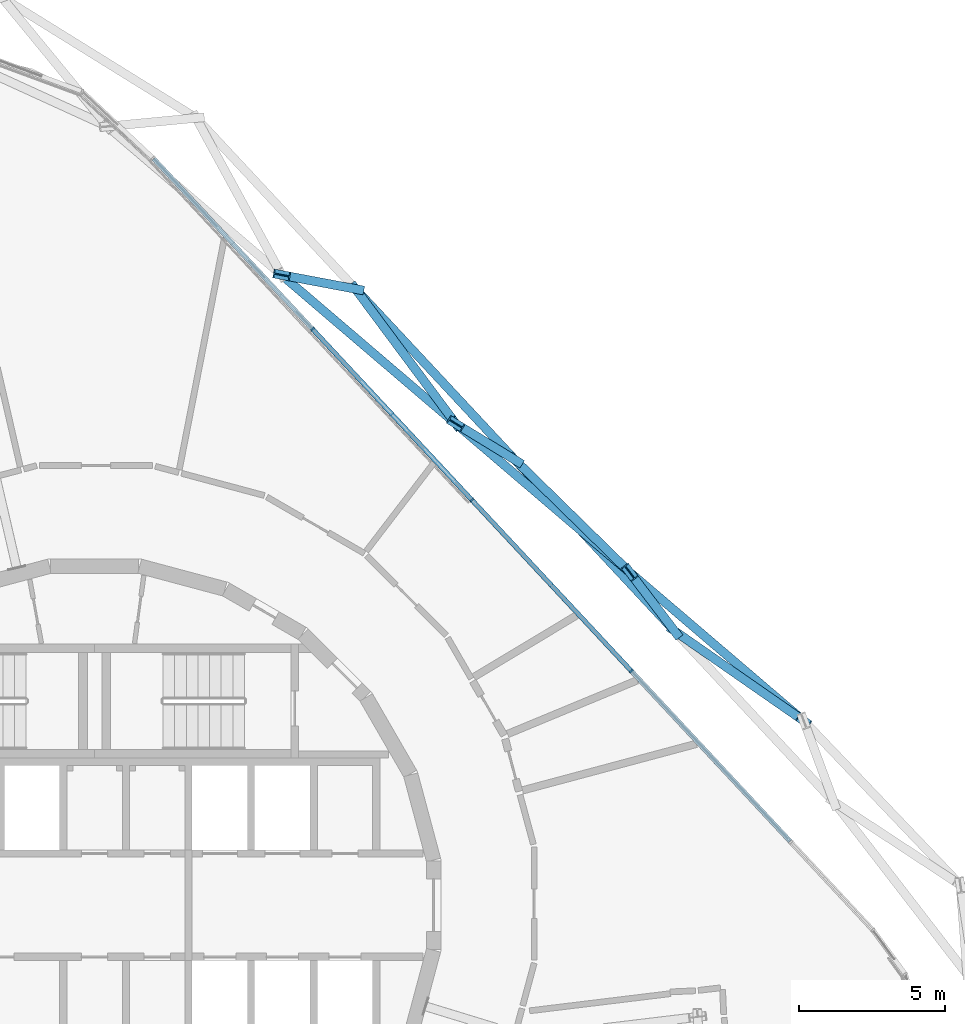
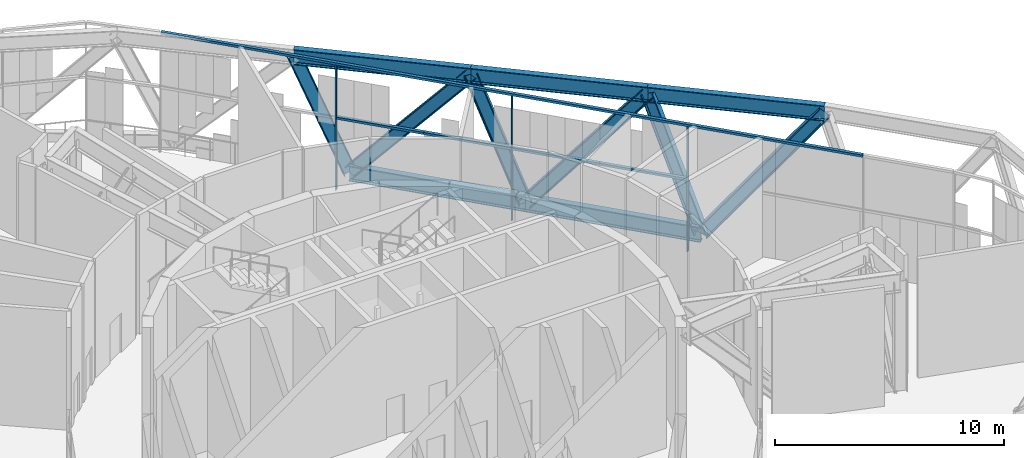
# One storey, part 9 of 25: 19 members, 1 element without a shape of its own.
"""IFC4 building model written with IfcOpenShell, lengths in metres."""

import ifcopenshell
import ifcopenshell.guid

model = None  # the IFC model being written
_history = None  # IfcOwnerHistory: only IFC2X3 demands one
_inside = {}  # id of a spatial element -> (the spatial element, [elements in it])
_under = {}  # id of a project, library or spatial element -> (it, [spatial elements below it])
_declared = {}  # id of a project -> (the project, [libraries it declares])
_typed = {}  # id of a type object -> (the type object, [elements of that type])
_made_of = {}  # id of a material, layer set ... -> (it, [elements and type objects made of it])


def new_model(schema):
    """Start an empty IFC model of exactly this schema.

    Asked for "IFC4X3", IfcOpenShell would pick the latest addendum, in which some entities
    have other attributes; the version numbers below select the first issue.
    IFC2X3 requires an IfcOwnerHistory on every rooted entity: one is made here for all.
    """
    global model, _history
    if schema == "IFC4X3":
        model = ifcopenshell.file(schema_version=(4, 3, 0, 0))
    else:
        model = ifcopenshell.file(schema=schema)
    _inside.clear()
    _under.clear()
    _declared.clear()
    _typed.clear()
    _made_of.clear()
    _history = None
    if model.schema == "IFC2X3":
        org = make("IfcOrganization", Name="unknown")
        user = make(
            "IfcPersonAndOrganization",
            ThePerson=make("IfcPerson", FamilyName="unknown"),
            TheOrganization=org,
        )
        app = make(
            "IfcApplication",
            ApplicationDeveloper=org,
            Version="unknown",
            ApplicationFullName="unknown",
            ApplicationIdentifier="unknown",
        )
        _history = make(
            "IfcOwnerHistory",
            OwningUser=user,
            OwningApplication=app,
            ChangeAction="ADDED",
            CreationDate=0,
        )
    return model


def make(cls, **values):
    """One entity of the class cls with the attributes given. An attribute that is None is left unset."""
    return model.create_entity(
        cls, **{name: value for name, value in values.items() if value is not None}
    )


def rooted(cls, **values):
    """An entity with a GlobalId (a new one), such as an element, a storey or a relation."""
    return make(cls, GlobalId=ifcopenshell.guid.new(), OwnerHistory=_history, **values)


def si_unit(unit_type, name, prefix=None):
    """IfcSIUnit, for example si_unit("LENGTHUNIT", "METRE", prefix="MILLI")."""
    return make("IfcSIUnit", UnitType=unit_type, Prefix=prefix, Name=name)


def assignment(units):
    """IfcUnitAssignment: the units of a project."""
    return None if units is None else make("IfcUnitAssignment", Units=units)


def point(xyz):
    """IfcCartesianPoint."""
    return None if xyz is None else make("IfcCartesianPoint", Coordinates=xyz)


def direction(xyz):
    """IfcDirection."""
    return None if xyz is None else make("IfcDirection", DirectionRatios=xyz)


def frame(location, z_axis=None, x_axis=None):
    """IfcAxis2Placement3D, a coordinate frame: its origin and axes. An axis left out is left unset."""
    return make(
        "IfcAxis2Placement3D",
        Location=point(location),
        Axis=direction(z_axis),
        RefDirection=direction(x_axis),
    )


def frame_2d(location, x_axis=None):
    """IfcAxis2Placement2D, a coordinate frame in the plane: its origin and x axis."""
    return make(
        "IfcAxis2Placement2D", Location=point(location), RefDirection=direction(x_axis)
    )


def origin():
    """The frame at (0, 0, 0) with its axes left unset."""
    return frame((0.0, 0.0, 0.0))


def origin_2d():
    """The frame at (0, 0) in the plane with its x axis left unset."""
    return frame_2d((0.0, 0.0))


def place(relative_to, where):
    """IfcLocalPlacement: puts the frame where relative to a parent placement (None: the world)."""
    return make(
        "IfcLocalPlacement", PlacementRelTo=relative_to, RelativePlacement=where
    )


def context(
    kind, dimensions, precision=None, world=None, true_north=None, identifier=None
):
    """IfcGeometricRepresentationContext, for example the 3D "Model" context."""
    return make(
        "IfcGeometricRepresentationContext",
        ContextIdentifier=identifier,
        ContextType=kind,
        CoordinateSpaceDimension=dimensions,
        Precision=precision,
        WorldCoordinateSystem=world,
        TrueNorth=true_north,
    )


def subcontext(parent, identifier, kind, view, scale=None):
    """IfcGeometricRepresentationSubContext, for example "Body" below "Model"."""
    return make(
        "IfcGeometricRepresentationSubContext",
        ContextIdentifier=identifier,
        ContextType=kind,
        ParentContext=parent,
        TargetScale=scale,
        TargetView=view,
    )


def project(units=None, contexts=None):
    """IfcProject with its units and contexts."""
    return rooted(
        "IfcProject",
        Name="project",
        RepresentationContexts=contexts,
        UnitsInContext=assignment(units),
    )


def spatial(cls, under=None, at=None, **own):
    """A site, building, storey or space (cls), placed at a placement, below another one or the project."""
    s = rooted(cls, ObjectPlacement=at, **own)
    if under is not None:
        _under.setdefault(under.id(), (under, []))[1].append(s)
    return s


def profile(cls, at=None, kind="AREA", **sizes):
    """A parametric profile (cls). Its sizes go by their IFC names, for example OverallWidth=200.0."""
    return make(cls, ProfileType=kind, Position=at, **sizes)


def rectangle(**sizes):
    """IfcRectangleProfileDef."""
    return profile("IfcRectangleProfileDef", **sizes)


def i_section(**sizes):
    """IfcIShapeProfileDef."""
    return profile("IfcIShapeProfileDef", **sizes)


def extrude(swept, where, along, depth):
    """IfcExtrudedAreaSolid: the profile swept, set in the frame where, extruded along a direction by depth."""
    return make(
        "IfcExtrudedAreaSolid",
        SweptArea=swept,
        Position=where,
        ExtrudedDirection=direction(along),
        Depth=depth,
    )


def shape(context_of_items, identifier, shape_type, items):
    """IfcShapeRepresentation: the items that make up one representation, for example the "Body"."""
    return make(
        "IfcShapeRepresentation",
        ContextOfItems=context_of_items,
        RepresentationIdentifier=identifier,
        RepresentationType=shape_type,
        Items=items,
    )


def material(Name=None, Category=None):
    """IfcMaterial."""
    return make("IfcMaterial", Name=Name, Category=Category)


def layer(
    of_material, thickness, ventilated=None, Name=None, Category=None, Priority=None
):
    """IfcMaterialLayer: one layer of a wall or slab, of a material (None: an air gap)."""
    return make(
        "IfcMaterialLayer",
        Material=of_material,
        LayerThickness=thickness,
        IsVentilated=ventilated,
        Name=Name,
        Category=Category,
        Priority=Priority,
    )


def layer_set(layers, Name=None):
    """IfcMaterialLayerSet."""
    return make("IfcMaterialLayerSet", MaterialLayers=layers, LayerSetName=Name)


def material_profile(
    of_material, cross_section, Name=None, Category=None, Priority=None
):
    """IfcMaterialProfile: a cross section and its material."""
    return make(
        "IfcMaterialProfile",
        Name=Name,
        Material=of_material,
        Profile=cross_section,
        Priority=Priority,
        Category=Category,
    )


def profile_set(profiles, Name=None, composite=None):
    """IfcMaterialProfileSet."""
    return make(
        "IfcMaterialProfileSet",
        Name=Name,
        MaterialProfiles=profiles,
        CompositeProfile=composite,
    )


def made_of(thing, what):
    """Note that an element or type object is made of a material, layer set ...; save() writes the relation."""
    if what is not None:
        _made_of.setdefault(what.id(), (what, []))[1].append(thing)
    return thing


def type_object(cls, material=None, **own):
    """A type object (cls), such as IfcWallType, which elements share."""
    return made_of(rooted(cls, **own), material)


def element(
    cls,
    number,
    at=None,
    inside=None,
    cuts=None,
    type_object=None,
    material=None,
    context=None,
    identifier="Body",
    shape_type=None,
    held_by="IfcProductDefinitionShape",
    body=None,
    shapes=None,
    **own,
):
    """One element of the class cls, such as IfcWall. Its Tag is "e" and its number.

    at: its placement. inside: the storey or other place that contains it. cuts: it is an
    opening in that element (IfcRelVoidsElement). A single representation is given by context,
    identifier, shape_type and body (its items); several are given by shapes. held_by: the class
    of the entity that holds the representations. save() writes the other relations.
    """
    e = rooted(cls, Tag="e%d" % number, ObjectPlacement=at, **own)
    if body is not None:
        shapes = [shape(context, identifier, shape_type, body)]
    if shapes is not None:
        e.Representation = make(held_by, Representations=shapes)
    if inside is not None:
        _inside.setdefault(inside.id(), (inside, []))[1].append(e)
    if cuts is not None:
        rooted(
            "IfcRelVoidsElement", RelatingBuildingElement=cuts, RelatedOpeningElement=e
        )
    if type_object is not None:
        _typed.setdefault(type_object.id(), (type_object, []))[1].append(e)
    return made_of(e, material)


def aggregate(whole, parts):
    """IfcRelAggregates: a whole, such as a stair, and the parts it consists of."""
    return rooted("IfcRelAggregates", RelatingObject=whole, RelatedObjects=parts)


def save(model, path):
    """Write the relations noted so far, then the file.

    IfcRelAggregates (storeys below a building ...), IfcRelContainedInSpatialStructure (elements
    in a storey), IfcRelDefinesByType, IfcRelAssociatesMaterial and IfcRelDeclares: one each for
    every whole, place, type object, material and project.
    """
    for whole, parts in _under.values():
        aggregate(whole, parts)
    for where, things in _inside.values():
        rooted(
            "IfcRelContainedInSpatialStructure",
            RelatedElements=things,
            RelatingStructure=where,
        )
    for kind, things in _typed.values():
        rooted("IfcRelDefinesByType", RelatedObjects=things, RelatingType=kind)
    for what, things in _made_of.values():
        rooted("IfcRelAssociatesMaterial", RelatedObjects=things, RelatingMaterial=what)
    for by, libraries in _declared.values():
        rooted("IfcRelDeclares", RelatingContext=by, RelatedDefinitions=libraries)
    model.write(path)


model = new_model("IFC4")

# Units and contexts
model_context = context("Model", 3, precision=1e-05, world=origin(), true_north=direction((0.0, 1.0)))
body_context = subcontext(model_context, "Body", "Model", "MODEL_VIEW")
ifc_project = project(units=[si_unit("LENGTHUNIT", "METRE"), si_unit("AREAUNIT", "SQUARE_METRE"), si_unit("VOLUMEUNIT", "CUBIC_METRE"), si_unit("PLANEANGLEUNIT", "RADIAN"), si_unit("MASSUNIT", "GRAM", prefix="KILO")], contexts=[model_context])

# Site, building, storey
site_placement = place(None, origin())
site = spatial("IfcSite", under=ifc_project, at=site_placement, CompositionType="ELEMENT")
building_placement = place(site_placement, origin())
building = spatial("IfcBuilding", under=site, at=building_placement, Name="Spindle Arch Residences", CompositionType="ELEMENT")
storey_placement = place(building_placement, frame((0.0, 0.0, 144.89990234375)))
storey = spatial("IfcBuildingStorey", under=building, at=storey_placement, Name="L36", CompositionType="ELEMENT", Elevation=144.89990234375)

# Members
ifc_material_1 = material(Name="Steel S460ML, intumescent coating R 240", Category="steel")
ifc_material_profile_1 = material_profile(ifc_material_1, i_section(OverallWidth=0.302978515625, OverallDepth=0.81396484375, WebThickness=0.02099609375, FlangeThickness=0.0400390625, FilletRadius=0.030029296875, at=origin_2d()), Name="HEM 800")
ifc_profile_set_1 = profile_set([ifc_material_profile_1], Name="Steel S460ML, intumescent coating R 240")
member_type_1 = type_object("IfcMemberType", Name="Belt truss chord HEM 800", PredefinedType="CHORD", material=ifc_profile_set_1)
member_1_placement = place(storey_placement, frame((19.9150390625, 9.42236328125, -0.85693359375), z_axis=(-0.682000753291, 0.73135146989, 0.0), x_axis=(-0.73135146989, -0.682000753291, 0.0)))
element("IfcMember", 1, at=member_1_placement, inside=storey, type_object=member_type_1, Name="Belt truss bottom chord L36.7", PredefinedType="CHORD", context=body_context, shape_type="SweptSolid", body=[
    extrude(i_section(OverallWidth=0.302978515625, OverallDepth=0.81396484375, WebThickness=0.02099609375, FlangeThickness=0.0400390625, FilletRadius=0.030029296875, at=origin_2d()), origin(), (0.0, 0.0, 1.0), 8.029052734375),
])
member_2_placement = place(storey_placement, frame((14.439208984375, 15.29443359375, -0.85693359375), z_axis=(-0.68201701678, 0.731336303504, 0.0), x_axis=(-0.731336303504, -0.68201701678, 0.0)))
element("IfcMember", 2, at=member_2_placement, inside=storey, type_object=member_type_1, Name="Belt truss bottom chord L36.8", PredefinedType="CHORD", context=body_context, shape_type="SweptSolid", body=[
    extrude(i_section(OverallWidth=0.302978515625, OverallDepth=0.81396484375, WebThickness=0.02099609375, FlangeThickness=0.0400390625, FilletRadius=0.030029296875, at=origin_2d()), origin(), (0.0, 0.0, 1.0), 8.029296875),
])
member_3_placement = place(storey_placement, frame((24.357666015625, 6.330810546875, 5.943115234375), z_axis=(-0.76041522011, 0.649437212535, 0.0), x_axis=(-0.649437212535, -0.76041522011, 0.0)))
element("IfcMember", 3, at=member_3_placement, inside=storey, type_object=member_type_1, Name="Belt truss top chord L36.6", PredefinedType="CHORD", context=body_context, shape_type="SweptSolid", body=[
    extrude(i_section(OverallWidth=0.302978515625, OverallDepth=0.81396484375, WebThickness=0.02099609375, FlangeThickness=0.0400390625, FilletRadius=0.030029296875, at=origin_2d()), origin(), (0.0, 0.0, 1.0), 7.8603515625),
])
for number, where, z_axis, x_axis, name in (
    (4, (18.380615234375, 11.435546875, 5.943115234375), (-0.760402119436, 0.649452551582, 0.0), (-0.649452551582, -0.760402119436, 0.0), "Belt truss top chord L36.7"),
    (5, (12.40380859375, 16.540283203125, 5.943115234375), (-0.760402119436, 0.649452551582, 0.0), (-0.649452551582, -0.760402119436, 0.0), "Belt truss top chord L36.8"),
):
    element("IfcMember", number, at=place(storey_placement, frame(where, z_axis=z_axis, x_axis=x_axis)), inside=storey, type_object=member_type_1, Name=name, PredefinedType="CHORD", context=body_context, shape_type="SweptSolid", body=[
        extrude(i_section(OverallWidth=0.302978515625, OverallDepth=0.81396484375, WebThickness=0.02099609375, FlangeThickness=0.0400390625, FilletRadius=0.030029296875, at=origin_2d()), origin(), (0.0, 0.0, 1.0), 7.860107421875),
    ])
ifc_material_2 = material(Name="Steel S460ML, intumescent coating R 240", Category="steel")
ifc_material_profile_2 = material_profile(ifc_material_2, i_section(OverallWidth=0.304931640625, OverallDepth=0.6201171875, WebThickness=0.02099609375, FlangeThickness=0.0400390625, FilletRadius=0.027099609375, at=origin_2d()), Name="HEM 600")
ifc_profile_set_2 = profile_set([ifc_material_profile_2], Name="Steel S460ML, intumescent coating R 240")
member_type_2 = type_object("IfcMemberType", Name="Belt truss diagonal HEM 600", PredefinedType="BRACE", material=ifc_profile_set_2)
member_4_placement = place(storey_placement, frame((19.9150390625, 9.42236328125, -0.85693359375), z_axis=(0.511169435021, -0.355714598872, 0.782414808685), x_axis=(0.571192677667, 0.820816011649, 0.0)))
element("IfcMember", 6, at=member_4_placement, inside=storey, type_object=member_type_2, Name="Belt truss diagonal L36.6.7", PredefinedType="BRACE", context=body_context, shape_type="SweptSolid", body=[
    extrude(i_section(OverallWidth=0.304931640625, OverallDepth=0.6201171875, WebThickness=0.02099609375, FlangeThickness=0.0400390625, FilletRadius=0.027099609375, at=origin_2d()), origin(), (0.0, 0.0, 1.0), 8.691162109375),
])
member_5_placement = place(storey_placement, frame((19.9150390625, 9.42236328125, -0.85693359375), z_axis=(-0.211472683655, 0.277454852731, 0.937175601882), x_axis=(-0.79532321881, -0.60618559668, 0.0)))
element("IfcMember", 7, at=member_5_placement, inside=storey, type_object=member_type_2, Name="Belt truss diagonal L36.7.7", PredefinedType="BRACE", context=body_context, shape_type="SweptSolid", body=[
    extrude(i_section(OverallWidth=0.304931640625, OverallDepth=0.6201171875, WebThickness=0.02099609375, FlangeThickness=0.0400390625, FilletRadius=0.027099609375, at=origin_2d()), origin(), (0.0, 0.0, 1.0), 7.255859375),
])
member_6_placement = place(storey_placement, frame((14.439208984375, 15.29443359375, -0.85693359375), z_axis=(0.450141232651, -0.440716818836, 0.776621887576), x_axis=(0.699587131167, 0.714547301377, 0.0)))
element("IfcMember", 8, at=member_6_placement, inside=storey, type_object=member_type_2, Name="Belt truss diagonal L36.7.8", PredefinedType="BRACE", context=body_context, shape_type="SweptSolid", body=[
    extrude(i_section(OverallWidth=0.304931640625, OverallDepth=0.6201171875, WebThickness=0.02099609375, FlangeThickness=0.0400390625, FilletRadius=0.027099609375, at=origin_2d()), origin(), (0.0, 0.0, 1.0), 8.755859375),
])
member_7_placement = place(storey_placement, frame((14.439208984375, 15.29443359375, -0.85693359375), z_axis=(-0.282434031827, 0.172875238624, 0.94358103496), x_axis=(-0.522058184443, -0.852909873349, 0.0)))
element("IfcMember", 9, at=member_7_placement, inside=storey, type_object=member_type_2, Name="Belt truss diagonal L36.8.8", PredefinedType="BRACE", context=body_context, shape_type="SweptSolid", body=[
    extrude(i_section(OverallWidth=0.304931640625, OverallDepth=0.6201171875, WebThickness=0.02099609375, FlangeThickness=0.0400390625, FilletRadius=0.027099609375, at=origin_2d()), origin(), (0.0, 0.0, 1.0), 7.20654296875),
])
member_8_placement = place(storey_placement, frame((8.963134765625, 21.16650390625, -0.85693359375), z_axis=(0.385933376126, -0.518913754644, 0.762747628271), x_axis=(0.802407227258, 0.596776877605, 0.0)))
element("IfcMember", 10, at=member_8_placement, inside=storey, type_object=member_type_2, Name="Belt truss diagonal L36.8.9", PredefinedType="BRACE", context=body_context, shape_type="SweptSolid", body=[
    extrude(i_section(OverallWidth=0.304931640625, OverallDepth=0.6201171875, WebThickness=0.02099609375, FlangeThickness=0.0400390625, FilletRadius=0.027099609375, at=origin_2d()), origin(), (0.0, 0.0, 1.0), 8.915283203125),
])
member_9_placement = place(storey_placement, frame((8.963134765625, 21.16650390625, -0.85693359375), z_axis=(-0.348688435962, 0.065790270936, 0.934926743054), x_axis=(-0.185407859198, -0.982661653748, 0.0)))
element("IfcMember", 11, at=member_9_placement, inside=storey, type_object=member_type_2, Name="Belt truss diagonal L36.9.9", PredefinedType="BRACE", context=body_context, shape_type="SweptSolid", body=[
    extrude(i_section(OverallWidth=0.304931640625, OverallDepth=0.6201171875, WebThickness=0.02099609375, FlangeThickness=0.0400390625, FilletRadius=0.027099609375, at=origin_2d()), origin(), (0.0, 0.0, 1.0), 7.2734375),
])

# Curtain wall, members
ifc_material_3 = material(Name="Aluminium bronze unitised frame with tinted glass", Category="aluminium")
ifc_layer = layer(ifc_material_3, 0.159912109375)
ifc_layer_set = layer_set([ifc_layer], Name="CW-E double-height winter garden wall")
curtain_wall_type = type_object("IfcCurtainWallType", Name="CW-E double-height winter garden wall", PredefinedType="NOTDEFINED", material=ifc_layer_set)
curtain_wall_placement = place(storey_placement, origin())
curtain_wall = element("IfcCurtainWall", 12, at=curtain_wall_placement, inside=storey, type_object=curtain_wall_type, Name="CW-E L36 run 2", PredefinedType="NOTDEFINED")
ifc_material_4 = material(Name="Aluminium bronze anodised mullion", Category="aluminium")
ifc_material_profile_3 = material_profile(ifc_material_4, rectangle(XDim=0.159912109375, YDim=0.06005859375, at=origin_2d()), Name="MU 60x160")
ifc_profile_set_3 = profile_set([ifc_material_profile_3], Name="Aluminium bronze anodised mullion")
member_type_3 = type_object("IfcMemberType", Name="Bronze mullion 60x160", PredefinedType="MULLION", material=ifc_profile_set_3)
member_10_placement = place(storey_placement, frame((18.437744140625, 8.044677734375, -0.449951171875), z_axis=(0.0, 0.0, 1.0), x_axis=(-0.731353701619, -0.681998360062, 0.0)))
member_10 = element("IfcMember", 13, at=member_10_placement, type_object=member_type_3, Name="CW-E mullion 06", PredefinedType="MULLION", context=body_context, shape_type="SweptSolid", body=[
    extrude(rectangle(XDim=0.159912109375, YDim=0.06005859375, at=origin_2d()), origin(), (0.0, 0.0, 1.0), 6.679931640625),
])
member_11_placement = place(storey_placement, frame((12.961669921875, 13.916748046875, -0.449951171875), z_axis=(0.0, 0.0, 1.0), x_axis=(-0.731353701619, -0.681998360062, 0.0)))
member_11 = element("IfcMember", 14, at=member_11_placement, type_object=member_type_3, Name="CW-E mullion 07", PredefinedType="MULLION", context=body_context, shape_type="SweptSolid", body=[
    extrude(rectangle(XDim=0.159912109375, YDim=0.06005859375, at=origin_2d()), origin(), (0.0, 0.0, 1.0), 6.679931640625),
])
member_12_placement = place(storey_placement, frame((7.48583984375, 19.7890625, -0.449951171875), z_axis=(0.0, 0.0, 1.0), x_axis=(-0.731353701619, -0.681998360062, 0.0)))
member_12 = element("IfcMember", 15, at=member_12_placement, type_object=member_type_3, Name="CW-E mullion 08", PredefinedType="MULLION", context=body_context, shape_type="SweptSolid", body=[
    extrude(rectangle(XDim=0.159912109375, YDim=0.06005859375, at=origin_2d()), origin(), (0.0, 0.0, 1.0), 6.679931640625),
])
ifc_material_5 = material(Name="Aluminium bronze anodised transom", Category="aluminium")
ifc_material_profile_4 = material_profile(ifc_material_5, rectangle(XDim=0.159912109375, YDim=0.1201171875, at=origin_2d()), Name="TR 120x160")
ifc_profile_set_4 = profile_set([ifc_material_profile_4], Name="Aluminium bronze anodised transom")
member_type_4 = type_object("IfcMemberType", Name="Bronze transom 120x160", PredefinedType="USERDEFINED", material=ifc_profile_set_4)
member_13_placement = place(storey_placement, frame((23.89306640625, 2.1943359375, 6.2900390625), z_axis=(-0.681996633995, 0.731355311199, 0.0), x_axis=(-0.731355311199, -0.681996633995, 0.0)))
member_13 = element("IfcMember", 16, at=member_13_placement, type_object=member_type_4, Name="CW-E transom 00", ObjectType="TRANSOM", PredefinedType="USERDEFINED", context=body_context, shape_type="SweptSolid", body=[
    extrude(rectangle(XDim=0.159912109375, YDim=0.1201171875, at=origin_2d()), origin(), (0.0, 0.0, 1.0), 32.056640625),
])
member_14_placement = place(storey_placement, frame((18.417236328125, 8.066650390625, 3.400146484375), z_axis=(-0.682014744094, 0.731338422919, 0.0), x_axis=(-0.731338422919, -0.682014744094, 0.0)))
member_14 = element("IfcMember", 17, at=member_14_placement, type_object=member_type_4, Name="CW-E transom 06Am", ObjectType="TRANSOM", PredefinedType="USERDEFINED", context=body_context, shape_type="SweptSolid", body=[
    extrude(rectangle(XDim=0.159912109375, YDim=0.1201171875, at=origin_2d()), origin(), (0.0, 0.0, 1.0), 3.984619140625),
])
member_15_placement = place(storey_placement, frame((15.69970703125, 10.980712890625, 3.400146484375), z_axis=(-0.682014744094, 0.731338422919, 0.0), x_axis=(-0.731338422919, -0.682014744094, 0.0)))
member_15 = element("IfcMember", 18, at=member_15_placement, type_object=member_type_4, Name="CW-E transom 06Bm", ObjectType="TRANSOM", PredefinedType="USERDEFINED", context=body_context, shape_type="SweptSolid", body=[
    extrude(rectangle(XDim=0.159912109375, YDim=0.1201171875, at=origin_2d()), origin(), (0.0, 0.0, 1.0), 3.984619140625),
])
member_16_placement = place(storey_placement, frame((12.94140625, 13.938720703125, 3.400146484375), z_axis=(-0.682014744094, 0.731338422919, 0.0), x_axis=(-0.731338422919, -0.682014744094, 0.0)))
member_16 = element("IfcMember", 19, at=member_16_placement, type_object=member_type_4, Name="CW-E transom 07Am", ObjectType="TRANSOM", PredefinedType="USERDEFINED", context=body_context, shape_type="SweptSolid", body=[
    extrude(rectangle(XDim=0.159912109375, YDim=0.1201171875, at=origin_2d()), origin(), (0.0, 0.0, 1.0), 3.984619140625),
])
member_17_placement = place(storey_placement, frame((10.223876953125, 16.852783203125, 3.400146484375), z_axis=(-0.681984183575, 0.731366921151, 0.0), x_axis=(-0.731366921151, -0.681984183575, 0.0)))
member_17 = element("IfcMember", 20, at=member_17_placement, type_object=member_type_4, Name="CW-E transom 07Bm", ObjectType="TRANSOM", PredefinedType="USERDEFINED", context=body_context, shape_type="SweptSolid", body=[
    extrude(rectangle(XDim=0.159912109375, YDim=0.1201171875, at=origin_2d()), origin(), (0.0, 0.0, 1.0), 3.984619140625),
])
aggregate(curtain_wall, [member_13, member_10, member_14, member_15, member_11, member_16, member_17, member_12])

save(model, "model.ifc")
